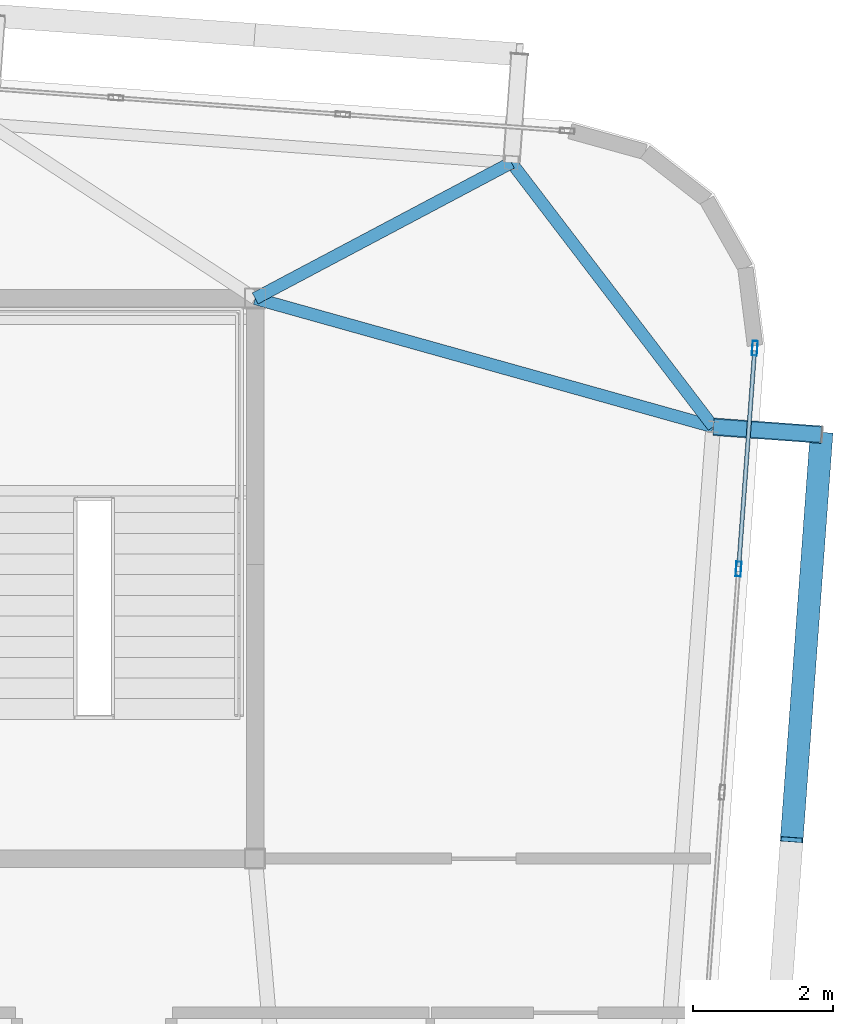
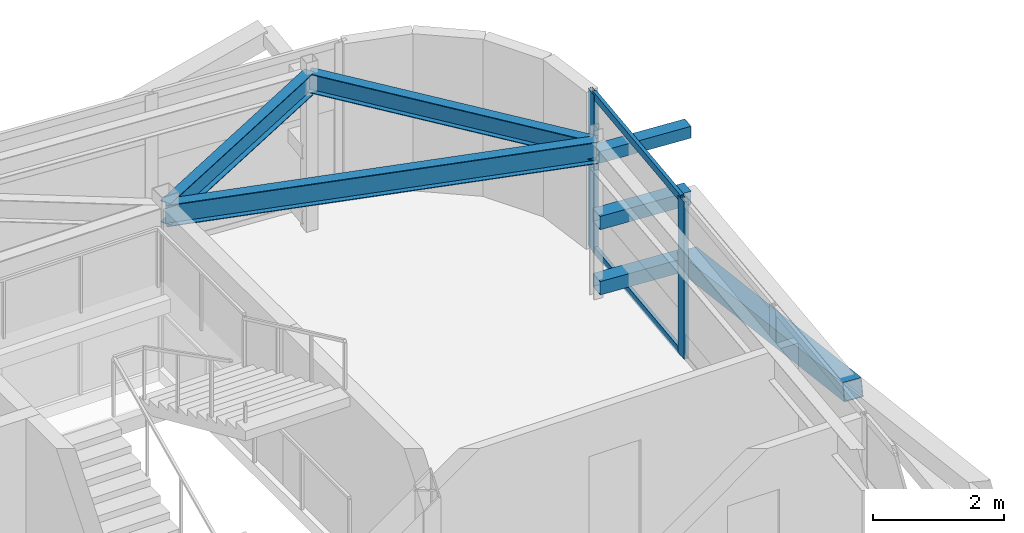
# One storey, part 25 of 42: 8 members, 3 beams, 1 element without a shape of its own.
"""IFC4 building model written with IfcOpenShell, lengths in metres."""

from ifc_helpers import new_model, si_unit, direction, frame, origin, origin_2d, place, context, subcontext, project, spatial, hollow_rectangle, i_section, extrude, source, transform, mapped, material, layer, layer_set, material_profile, profile_set, type_object, element, aggregate, save


model = new_model("IFC4")

# Units and contexts
model_context = context("Model", 3, precision=1e-05, world=origin(), true_north=direction((0.0, 1.0)))
body_context = subcontext(model_context, "Body", "Model", "MODEL_VIEW")
ifc_project = project(units=[si_unit("LENGTHUNIT", "METRE"), si_unit("AREAUNIT", "SQUARE_METRE"), si_unit("VOLUMEUNIT", "CUBIC_METRE"), si_unit("PLANEANGLEUNIT", "RADIAN"), si_unit("MASSUNIT", "GRAM", prefix="KILO")], contexts=[model_context])

# Site, building, storey
site_placement = place(None, origin())
site = spatial("IfcSite", under=ifc_project, at=site_placement, CompositionType="ELEMENT")
building_placement = place(site_placement, origin())
building = spatial("IfcBuilding", under=site, at=building_placement, Name="Taldren Reach Tower", CompositionType="ELEMENT")
storey_placement = place(building_placement, frame((0.0, 0.0, 217.699951171875)))
storey = spatial("IfcBuildingStorey", under=building, at=storey_placement, Name="L66", CompositionType="ELEMENT", Elevation=217.699951171875)

# Beams
ifc_material_1 = material(Name="Steel Gr 350 (350PLUS)", Category="steel")
ifc_material_profile_1 = material_profile(ifc_material_1, i_section(OverallWidth=0.172119140625, OverallDepth=0.35888671875, WebThickness=0.008056640625, FlangeThickness=0.012939453125, at=origin_2d()), Name="360UB56.7")
ifc_profile_set_1 = profile_set([ifc_material_profile_1], Name="Steel Gr 350 (350PLUS)")
beam_type_1 = type_object("IfcBeamType", Name="SP-UB360", PredefinedType="SPANDREL", material=ifc_profile_set_1)
shared_shape_1 = source(origin(), body_context, "Body", "SweptSolid", [
    extrude(i_section(OverallWidth=0.172119140625, OverallDepth=0.35888671875, WebThickness=0.008056640625, FlangeThickness=0.012939453125, at=origin_2d()), origin(), (0.0, 0.0, 1.0), 4.745849609375),
])
beam_1_placement = place(storey_placement, frame((57.540771484375, 30.168701171875, 2.75048828125), z_axis=(-0.607136906115, 0.79459724215, 0.0), x_axis=(-0.79459724215, -0.607136906115, 0.0)))
element("IfcBeam", 1, at=beam_1_placement, inside=storey, type_object=beam_type_1, Name="Perimeter spandrel B5 E3-N6 L66", PredefinedType="SPANDREL", context=body_context, shape_type="MappedRepresentation", body=[
    mapped(shared_shape_1, transform((0.0, 0.0, 0.0), scale=1.0)),
])
ifc_material_profile_2 = material_profile(ifc_material_1, i_section(OverallWidth=0.177978515625, OverallDepth=0.406005859375, WebThickness=0.0078125, FlangeThickness=0.0126953125, at=origin_2d()), Name="410UB59.7")
ifc_profile_set_2 = profile_set([ifc_material_profile_2], Name="Steel Gr 350 (350PLUS)")
beam_type_2 = type_object("IfcBeamType", Name="BM-UB410", PredefinedType="BEAM", material=ifc_profile_set_2)
shared_shape_2 = source(origin(), body_context, "Body", "SweptSolid", [
    extrude(i_section(OverallWidth=0.177978515625, OverallDepth=0.406005859375, WebThickness=0.0078125, FlangeThickness=0.0126953125, at=origin_2d()), origin(), (0.0, 0.0, 1.0), 6.792236328125),
])
beam_2_placement = place(storey_placement, frame((51.0, 32.0, 2.72705078125), z_axis=(0.962968499215, -0.269613926789, 0.0), x_axis=(0.269613926789, 0.962968499215, 0.0)))
element("IfcBeam", 2, at=beam_2_placement, inside=storey, type_object=beam_type_2, Name="Primary floor girder B5-E3 L66", PredefinedType="BEAM", context=body_context, shape_type="MappedRepresentation", body=[
    mapped(shared_shape_2, transform((0.0, 0.0, 0.0), scale=1.0)),
])
shared_shape_3 = source(origin(), body_context, "Body", "SweptSolid", [
    extrude(i_section(OverallWidth=0.177978515625, OverallDepth=0.406005859375, WebThickness=0.0078125, FlangeThickness=0.0126953125, at=origin_2d()), origin(), (0.0, 0.0, 1.0), 4.1416015625),
])
beam_3_placement = place(storey_placement, frame((51.0, 32.0, 2.72705078125), z_axis=(0.883552655042, 0.468331832965, 0.0), x_axis=(-0.468331832965, 0.883552655042, 0.0)))
element("IfcBeam", 3, at=beam_3_placement, inside=storey, type_object=beam_type_2, Name="Primary floor girder B5-N6 L66", PredefinedType="BEAM", context=body_context, shape_type="MappedRepresentation", body=[
    mapped(shared_shape_3, transform((0.0, 0.0, 0.0), scale=1.0)),
])

# Members
ifc_material_2 = material(Name="Steel Gr 450 (C450L0)", Category="steel")
ifc_material_profile_3 = material_profile(ifc_material_2, hollow_rectangle(XDim=0.219970703125, YDim=0.219970703125, WallThickness=0.00830078125, at=origin_2d()), Name="220x220x8.2SHS")
ifc_profile_set_3 = profile_set([ifc_material_profile_3], Name="Steel Gr 450 (C450L0)")
member_type_1 = type_object("IfcMemberType", Name="MB-TIE219", PredefinedType="STRUT", material=ifc_profile_set_3)
shared_shape_4 = source(origin(), body_context, "Body", "SweptSolid", [
    extrude(hollow_rectangle(XDim=0.219970703125, YDim=0.219970703125, WallThickness=0.00830078125, at=origin_2d()), origin(), (0.0, 0.0, 1.0), 1.5458984375),
])
member_1_placement = place(storey_placement, frame((57.544921875, 30.168212890625, 2.650146484375), z_axis=(0.99732305975, -0.073121231459, 0.0), x_axis=(0.073121231459, 0.99732305975, 0.0)))
element("IfcMember", 4, at=member_1_placement, inside=storey, type_object=member_type_1, Name="Exoskeleton diaphragm tie strut B5-E3 L66", PredefinedType="STRUT", context=body_context, shape_type="MappedRepresentation", body=[
    mapped(shared_shape_4, transform((0.0, 0.0, 0.0), scale=1.0)),
])
ifc_material_profile_4 = material_profile(ifc_material_2, hollow_rectangle(XDim=0.324951171875, YDim=0.324951171875, WallThickness=0.0126953125, at=origin_2d()), Name="325x325x12.7SHS")
ifc_profile_set_4 = profile_set([ifc_material_profile_4], Name="Steel Gr 450 (C450L0)")
member_type_2 = type_object("IfcMemberType", Name="MB-BR324", PredefinedType="BRACE", material=ifc_profile_set_4)
shared_shape_5 = source(origin(), body_context, "Body", "SweptSolid", [
    extrude(hollow_rectangle(XDim=0.324951171875, YDim=0.324951171875, WallThickness=0.0126953125, at=origin_2d()), origin(), (0.0, 0.0, 1.0), 5.926025390625),
])
member_2_placement = place(storey_placement, frame((59.086669921875, 30.05517578125, 0.219970703125), z_axis=(-0.071685935393, -0.976123486939, 0.205046494513), x_axis=(0.997314185625, -0.073242167855, 0.0)))
element("IfcMember", 5, at=member_2_placement, inside=storey, type_object=member_type_2, Name="Exoskeleton Diagrid Brace B5-E2 L66", PredefinedType="BRACE", context=body_context, shape_type="MappedRepresentation", body=[
    mapped(shared_shape_5, transform((0.0, 0.0, 0.0), scale=1.0)),
])
ifc_material_3 = material(Name="Steel Gr 350 (C350L0)", Category="steel")
ifc_material_profile_5 = material_profile(ifc_material_3, hollow_rectangle(XDim=0.25, YDim=0.25, WallThickness=0.010009765625, at=origin_2d()), Name="250x250x10.0SHS")
ifc_profile_set_5 = profile_set([ifc_material_profile_5], Name="Steel Gr 350 (C350L0)")
member_type_3 = type_object("IfcMemberType", Name="MB-POST250", PredefinedType="POST", material=ifc_profile_set_5)
shared_shape_6 = source(origin(), body_context, "Body", "SweptSolid", [
    extrude(hollow_rectangle(XDim=0.25, YDim=0.25, WallThickness=0.010009765625, at=origin_2d()), origin(), (0.0, 0.0, 1.0), 1.5458984375),
])
for number, where, z_axis, x_axis, name in (
    (6, (57.544921875, 30.168212890625, 0.219970703125), (0.99732305975, -0.073121231459, 0.0), (0.073121231459, 0.99732305975, 0.0), "Exoskeleton base diaphragm tie strut B5-E3 L66"),
    (7, (57.544921875, 30.168212890625, 1.43505859375), (0.99732305975, -0.073121231459, 0.0), (0.073121231459, 0.99732305975, 0.0), "Exoskeleton mid-tier diaphragm tie B5-E3 L66"),
):
    element("IfcMember", number, at=place(storey_placement, frame(where, z_axis=z_axis, x_axis=x_axis)), inside=storey, type_object=member_type_3, Name=name, PredefinedType="POST", context=body_context, shape_type="MappedRepresentation", body=[
        mapped(shared_shape_6, transform((0.0, 0.0, 0.0), scale=1.0)),
    ])

# Curtain wall, members
ifc_material_4 = material(Name="Aluminium and Low-E Glass Unitised System", Category="aluminium")
ifc_layer = layer(ifc_material_4, 0.159912109375)
ifc_layer_set = layer_set([ifc_layer], Name="Aluminium and Low-E Glass Unitised System")
curtain_wall_type = type_object("IfcCurtainWallType", Name="CW-SYS-6", PredefinedType="NOTDEFINED", material=ifc_layer_set)
curtain_wall_placement = place(storey_placement, origin())
curtain_wall = element("IfcCurtainWall", 8, at=curtain_wall_placement, inside=storey, type_object=curtain_wall_type, Name="Unitised curtain wall CW-L66-E", PredefinedType="NOTDEFINED")
ifc_material_5 = material(Name="Anodised Aluminium 6063-T6", Category="aluminium")
ifc_material_profile_6 = material_profile(ifc_material_5, hollow_rectangle(XDim=0.074951171875, YDim=0.2099609375, WallThickness=0.00439453125, at=origin_2d()), Name="ALU-210x75x4.5RHS")
ifc_profile_set_6 = profile_set([ifc_material_profile_6], Name="Anodised Aluminium 6063-T6")
member_type_4 = type_object("IfcMemberType", Name="CW-MUL-200", PredefinedType="MULLION", material=ifc_profile_set_6)
shared_shape_7 = source(origin(), body_context, "Body", "SweptSolid", [
    extrude(hollow_rectangle(XDim=0.074951171875, YDim=0.2099609375, WallThickness=0.00439453125, at=origin_2d()), origin(), (0.0, 0.0, 1.0), 2.929931640625),
])
member_3_placement = place(storey_placement, frame((57.903076171875, 28.13671875, 0.0), z_axis=(0.0, 0.0, 1.0), x_axis=(-0.997314470951, 0.073238282558, 0.0)))
member_3 = element("IfcMember", 9, at=member_3_placement, type_object=member_type_4, Name="CW-6 mullion 8", PredefinedType="MULLION", context=body_context, shape_type="MappedRepresentation", body=[
    mapped(shared_shape_7, transform((0.0, 0.0, 0.0), scale=1.0)),
])
member_4_placement = place(storey_placement, frame((58.134765625, 31.29052734375, 0.0), z_axis=(0.0, 0.0, 1.0), x_axis=(-0.997314470951, 0.073238282558, 0.0)))
member_4 = element("IfcMember", 10, at=member_4_placement, type_object=member_type_4, Name="CW-6 mullion 9", PredefinedType="MULLION", context=body_context, shape_type="MappedRepresentation", body=[
    mapped(shared_shape_7, transform((0.0, 0.0, 0.0), scale=1.0)),
])
ifc_material_profile_7 = material_profile(ifc_material_5, hollow_rectangle(XDim=0.06005859375, YDim=0.135009765625, WallThickness=0.00341796875, at=origin_2d()), Name="ALU-135x60x3.5RHS")
ifc_profile_set_7 = profile_set([ifc_material_profile_7], Name="Anodised Aluminium 6063-T6")
member_type_5 = type_object("IfcMemberType", Name="CW-TRN-150", PredefinedType="USERDEFINED", material=ifc_profile_set_7)
shared_shape_8 = source(origin(), body_context, "Body", "SweptSolid", [
    extrude(hollow_rectangle(XDim=0.06005859375, YDim=0.135009765625, WallThickness=0.00341796875, at=origin_2d()), origin(), (0.0, 0.0, 1.0), 3.08740234375),
])
member_5_placement = place(storey_placement, frame((57.90576171875, 28.174072265625, 0.030029296875), z_axis=(0.073225031802, 0.997315443938, 0.0), x_axis=(-0.997315443938, 0.073225031802, 0.0)))
member_5 = element("IfcMember", 11, at=member_5_placement, type_object=member_type_5, Name="CW-6 transom 8.1", ObjectType="TRANSOM", PredefinedType="USERDEFINED", context=body_context, shape_type="MappedRepresentation", body=[
    mapped(shared_shape_8, transform((0.0, 0.0, 0.0), scale=1.0)),
])
member_6_placement = place(storey_placement, frame((57.90576171875, 28.174072265625, 2.900146484375), z_axis=(0.073225031802, 0.997315443938, 0.0), x_axis=(-0.997315443938, 0.073225031802, 0.0)))
member_6 = element("IfcMember", 12, at=member_6_placement, type_object=member_type_5, Name="CW-6 transom 8.2", ObjectType="TRANSOM", PredefinedType="USERDEFINED", context=body_context, shape_type="MappedRepresentation", body=[
    mapped(shared_shape_8, transform((0.0, 0.0, 0.0), scale=1.0)),
])
aggregate(curtain_wall, [member_3, member_4, member_5, member_6])

save(model, "model.ifc")
